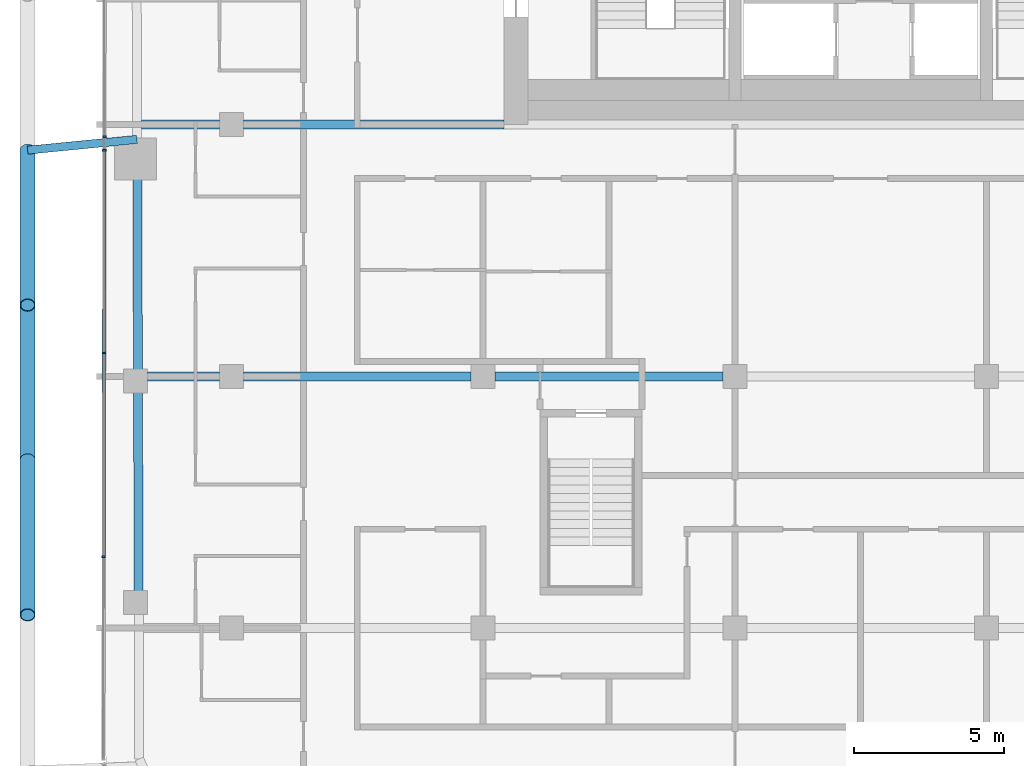
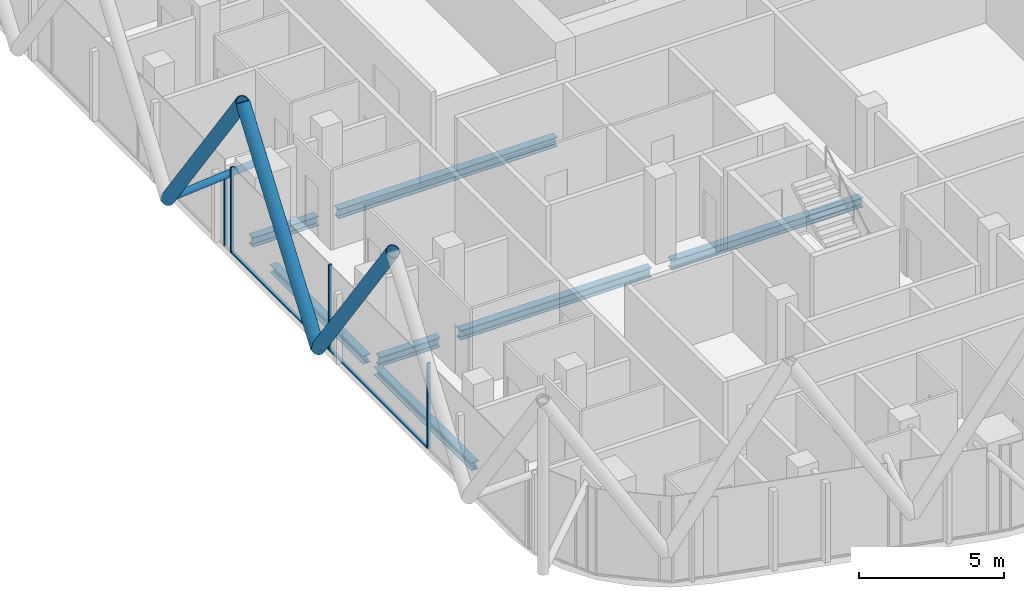
# One storey, part 4 of 31: 10 members, 7 beams, 2 elements without a shape of their own.
"""IFC4 building model written with IfcOpenShell, lengths in metres."""

import ifcopenshell
import ifcopenshell.guid

model = None  # the IFC model being written
_history = None  # IfcOwnerHistory: only IFC2X3 demands one
_inside = {}  # id of a spatial element -> (the spatial element, [elements in it])
_under = {}  # id of a project, library or spatial element -> (it, [spatial elements below it])
_declared = {}  # id of a project -> (the project, [libraries it declares])
_typed = {}  # id of a type object -> (the type object, [elements of that type])
_made_of = {}  # id of a material, layer set ... -> (it, [elements and type objects made of it])


def new_model(schema):
    """Start an empty IFC model of exactly this schema.

    Asked for "IFC4X3", IfcOpenShell would pick the latest addendum, in which some entities
    have other attributes; the version numbers below select the first issue.
    IFC2X3 requires an IfcOwnerHistory on every rooted entity: one is made here for all.
    """
    global model, _history
    if schema == "IFC4X3":
        model = ifcopenshell.file(schema_version=(4, 3, 0, 0))
    else:
        model = ifcopenshell.file(schema=schema)
    _inside.clear()
    _under.clear()
    _declared.clear()
    _typed.clear()
    _made_of.clear()
    _history = None
    if model.schema == "IFC2X3":
        org = make("IfcOrganization", Name="unknown")
        user = make(
            "IfcPersonAndOrganization",
            ThePerson=make("IfcPerson", FamilyName="unknown"),
            TheOrganization=org,
        )
        app = make(
            "IfcApplication",
            ApplicationDeveloper=org,
            Version="unknown",
            ApplicationFullName="unknown",
            ApplicationIdentifier="unknown",
        )
        _history = make(
            "IfcOwnerHistory",
            OwningUser=user,
            OwningApplication=app,
            ChangeAction="ADDED",
            CreationDate=0,
        )
    return model


def make(cls, **values):
    """One entity of the class cls with the attributes given. An attribute that is None is left unset."""
    return model.create_entity(
        cls, **{name: value for name, value in values.items() if value is not None}
    )


def rooted(cls, **values):
    """An entity with a GlobalId (a new one), such as an element, a storey or a relation."""
    return make(cls, GlobalId=ifcopenshell.guid.new(), OwnerHistory=_history, **values)


def si_unit(unit_type, name, prefix=None):
    """IfcSIUnit, for example si_unit("LENGTHUNIT", "METRE", prefix="MILLI")."""
    return make("IfcSIUnit", UnitType=unit_type, Prefix=prefix, Name=name)


def assignment(units):
    """IfcUnitAssignment: the units of a project."""
    return None if units is None else make("IfcUnitAssignment", Units=units)


def point(xyz):
    """IfcCartesianPoint."""
    return None if xyz is None else make("IfcCartesianPoint", Coordinates=xyz)


def direction(xyz):
    """IfcDirection."""
    return None if xyz is None else make("IfcDirection", DirectionRatios=xyz)


def frame(location, z_axis=None, x_axis=None):
    """IfcAxis2Placement3D, a coordinate frame: its origin and axes. An axis left out is left unset."""
    return make(
        "IfcAxis2Placement3D",
        Location=point(location),
        Axis=direction(z_axis),
        RefDirection=direction(x_axis),
    )


def frame_2d(location, x_axis=None):
    """IfcAxis2Placement2D, a coordinate frame in the plane: its origin and x axis."""
    return make(
        "IfcAxis2Placement2D", Location=point(location), RefDirection=direction(x_axis)
    )


def origin():
    """The frame at (0, 0, 0) with its axes left unset."""
    return frame((0.0, 0.0, 0.0))


def origin_2d():
    """The frame at (0, 0) in the plane with its x axis left unset."""
    return frame_2d((0.0, 0.0))


def place(relative_to, where):
    """IfcLocalPlacement: puts the frame where relative to a parent placement (None: the world)."""
    return make(
        "IfcLocalPlacement", PlacementRelTo=relative_to, RelativePlacement=where
    )


def context(
    kind, dimensions, precision=None, world=None, true_north=None, identifier=None
):
    """IfcGeometricRepresentationContext, for example the 3D "Model" context."""
    return make(
        "IfcGeometricRepresentationContext",
        ContextIdentifier=identifier,
        ContextType=kind,
        CoordinateSpaceDimension=dimensions,
        Precision=precision,
        WorldCoordinateSystem=world,
        TrueNorth=true_north,
    )


def subcontext(parent, identifier, kind, view, scale=None):
    """IfcGeometricRepresentationSubContext, for example "Body" below "Model"."""
    return make(
        "IfcGeometricRepresentationSubContext",
        ContextIdentifier=identifier,
        ContextType=kind,
        ParentContext=parent,
        TargetScale=scale,
        TargetView=view,
    )


def project(units=None, contexts=None):
    """IfcProject with its units and contexts."""
    return rooted(
        "IfcProject",
        Name="project",
        RepresentationContexts=contexts,
        UnitsInContext=assignment(units),
    )


def spatial(cls, under=None, at=None, **own):
    """A site, building, storey or space (cls), placed at a placement, below another one or the project."""
    s = rooted(cls, ObjectPlacement=at, **own)
    if under is not None:
        _under.setdefault(under.id(), (under, []))[1].append(s)
    return s


def profile(cls, at=None, kind="AREA", **sizes):
    """A parametric profile (cls). Its sizes go by their IFC names, for example OverallWidth=200.0."""
    return make(cls, ProfileType=kind, Position=at, **sizes)


def rectangle(**sizes):
    """IfcRectangleProfileDef."""
    return profile("IfcRectangleProfileDef", **sizes)


def hollow_circle(**sizes):
    """IfcCircleHollowProfileDef."""
    return profile("IfcCircleHollowProfileDef", **sizes)


def i_section(**sizes):
    """IfcIShapeProfileDef."""
    return profile("IfcIShapeProfileDef", **sizes)


def extrude(swept, where, along, depth):
    """IfcExtrudedAreaSolid: the profile swept, set in the frame where, extruded along a direction by depth."""
    return make(
        "IfcExtrudedAreaSolid",
        SweptArea=swept,
        Position=where,
        ExtrudedDirection=direction(along),
        Depth=depth,
    )


def shape(context_of_items, identifier, shape_type, items):
    """IfcShapeRepresentation: the items that make up one representation, for example the "Body"."""
    return make(
        "IfcShapeRepresentation",
        ContextOfItems=context_of_items,
        RepresentationIdentifier=identifier,
        RepresentationType=shape_type,
        Items=items,
    )


def material(Name=None, Category=None):
    """IfcMaterial."""
    return make("IfcMaterial", Name=Name, Category=Category)


def layer(
    of_material, thickness, ventilated=None, Name=None, Category=None, Priority=None
):
    """IfcMaterialLayer: one layer of a wall or slab, of a material (None: an air gap)."""
    return make(
        "IfcMaterialLayer",
        Material=of_material,
        LayerThickness=thickness,
        IsVentilated=ventilated,
        Name=Name,
        Category=Category,
        Priority=Priority,
    )


def layer_set(layers, Name=None):
    """IfcMaterialLayerSet."""
    return make("IfcMaterialLayerSet", MaterialLayers=layers, LayerSetName=Name)


def material_profile(
    of_material, cross_section, Name=None, Category=None, Priority=None
):
    """IfcMaterialProfile: a cross section and its material."""
    return make(
        "IfcMaterialProfile",
        Name=Name,
        Material=of_material,
        Profile=cross_section,
        Priority=Priority,
        Category=Category,
    )


def profile_set(profiles, Name=None, composite=None):
    """IfcMaterialProfileSet."""
    return make(
        "IfcMaterialProfileSet",
        Name=Name,
        MaterialProfiles=profiles,
        CompositeProfile=composite,
    )


def made_of(thing, what):
    """Note that an element or type object is made of a material, layer set ...; save() writes the relation."""
    if what is not None:
        _made_of.setdefault(what.id(), (what, []))[1].append(thing)
    return thing


def type_object(cls, material=None, **own):
    """A type object (cls), such as IfcWallType, which elements share."""
    return made_of(rooted(cls, **own), material)


def element(
    cls,
    number,
    at=None,
    inside=None,
    cuts=None,
    type_object=None,
    material=None,
    context=None,
    identifier="Body",
    shape_type=None,
    held_by="IfcProductDefinitionShape",
    body=None,
    shapes=None,
    **own,
):
    """One element of the class cls, such as IfcWall. Its Tag is "e" and its number.

    at: its placement. inside: the storey or other place that contains it. cuts: it is an
    opening in that element (IfcRelVoidsElement). A single representation is given by context,
    identifier, shape_type and body (its items); several are given by shapes. held_by: the class
    of the entity that holds the representations. save() writes the other relations.
    """
    e = rooted(cls, Tag="e%d" % number, ObjectPlacement=at, **own)
    if body is not None:
        shapes = [shape(context, identifier, shape_type, body)]
    if shapes is not None:
        e.Representation = make(held_by, Representations=shapes)
    if inside is not None:
        _inside.setdefault(inside.id(), (inside, []))[1].append(e)
    if cuts is not None:
        rooted(
            "IfcRelVoidsElement", RelatingBuildingElement=cuts, RelatedOpeningElement=e
        )
    if type_object is not None:
        _typed.setdefault(type_object.id(), (type_object, []))[1].append(e)
    return made_of(e, material)


def aggregate(whole, parts):
    """IfcRelAggregates: a whole, such as a stair, and the parts it consists of."""
    return rooted("IfcRelAggregates", RelatingObject=whole, RelatedObjects=parts)


def save(model, path):
    """Write the relations noted so far, then the file.

    IfcRelAggregates (storeys below a building ...), IfcRelContainedInSpatialStructure (elements
    in a storey), IfcRelDefinesByType, IfcRelAssociatesMaterial and IfcRelDeclares: one each for
    every whole, place, type object, material and project.
    """
    for whole, parts in _under.values():
        aggregate(whole, parts)
    for where, things in _inside.values():
        rooted(
            "IfcRelContainedInSpatialStructure",
            RelatedElements=things,
            RelatingStructure=where,
        )
    for kind, things in _typed.values():
        rooted("IfcRelDefinesByType", RelatedObjects=things, RelatingType=kind)
    for what, things in _made_of.values():
        rooted("IfcRelAssociatesMaterial", RelatedObjects=things, RelatingMaterial=what)
    for by, libraries in _declared.values():
        rooted("IfcRelDeclares", RelatingContext=by, RelatedDefinitions=libraries)
    model.write(path)


model = new_model("IFC4")

# Units and contexts
model_context = context("Model", 3, precision=1e-05, world=origin(), true_north=direction((0.0, 1.0)))
body_context = subcontext(model_context, "Body", "Model", "MODEL_VIEW")
ifc_project = project(units=[si_unit("LENGTHUNIT", "METRE"), si_unit("AREAUNIT", "SQUARE_METRE"), si_unit("VOLUMEUNIT", "CUBIC_METRE"), si_unit("PLANEANGLEUNIT", "RADIAN"), si_unit("MASSUNIT", "GRAM", prefix="KILO")], contexts=[model_context])

# Site, building, storey
site_placement = place(None, origin())
site = spatial("IfcSite", under=ifc_project, at=site_placement, CompositionType="ELEMENT")
building_placement = place(site_placement, origin())
building = spatial("IfcBuilding", under=site, at=building_placement, Name="Marenta Gate Hotel Tower", CompositionType="ELEMENT")
storey_placement = place(building_placement, frame((0.0, 0.0, 234.5)))
storey = spatial("IfcBuildingStorey", under=building, at=storey_placement, Name="L55", CompositionType="ELEMENT", Elevation=234.5)

# Members
ifc_material_1 = material(Name="Steel S355J2W", Category="steel")
ifc_material_profile_1 = material_profile(ifc_material_1, hollow_circle(Radius=0.25390625, WallThickness=0.02490234375, at=origin_2d()), Name="CHS 508x25")
ifc_profile_set_1 = profile_set([ifc_material_profile_1], Name="Steel S355J2W")
member_type_1 = type_object("IfcMemberType", Name="Diagrid diagonal Z3 CHS 508x25", PredefinedType="BRACE", material=ifc_profile_set_1)
member_1_placement = place(storey_placement, frame((-27.800048828125, -11.190185546875, 3.139892578125), z_axis=(0.0, -0.583247791947, 0.812294289767), x_axis=(1.0, 0.0, 0.0)))
element("IfcMember", 1, at=member_1_placement, inside=storey, type_object=member_type_1, Name="L55-DG-27", PredefinedType="BRACE", context=body_context, shape_type="SweptSolid", body=[
    extrude(hollow_circle(Radius=0.25390625, WallThickness=0.02490234375, at=origin_2d()), origin(), (0.0, 0.0, 1.0), 8.864013671875),
])
member_2_placement = place(storey_placement, frame((-27.800048828125, -11.190185546875, 3.139892578125), z_axis=(0.0, 0.583265964901, 0.81228124082), x_axis=(-1.0, 0.0, 0.0)))
element("IfcMember", 2, at=member_2_placement, inside=storey, type_object=member_type_1, Name="L55-DG-28", PredefinedType="BRACE", context=body_context, shape_type="SweptSolid", body=[
    extrude(hollow_circle(Radius=0.25390625, WallThickness=0.02490234375, at=origin_2d()), origin(), (0.0, 0.0, 1.0), 8.8642578125),
])
member_3_placement = place(storey_placement, frame((-27.800048828125, -0.85009765625, 3.139892578125), z_axis=(0.0, -0.583247791947, 0.812294289767), x_axis=(1.0, 0.0, 0.0)))
element("IfcMember", 3, at=member_3_placement, inside=storey, type_object=member_type_1, Name="L55-DG-29", PredefinedType="BRACE", context=body_context, shape_type="SweptSolid", body=[
    extrude(hollow_circle(Radius=0.25390625, WallThickness=0.02490234375, at=origin_2d()), origin(), (0.0, 0.0, 1.0), 8.864013671875),
])

# Beams
ifc_material_2 = material(Name="Steel S355", Category="steel")
ifc_material_profile_2 = material_profile(ifc_material_2, i_section(OverallWidth=0.300048828125, OverallDepth=0.340087890625, WebThickness=0.011962890625, FlangeThickness=0.021484375, FilletRadius=0.027099609375, at=origin_2d()), Name="HEB 340")
ifc_profile_set_2 = profile_set([ifc_material_profile_2], Name="Steel S355")
beam_type_1 = type_object("IfcBeamType", Name="Edge beam HEB 340", PredefinedType="SPANDREL", material=ifc_profile_set_2)
beam_1_placement = place(storey_placement, frame((-24.09375, -15.591796875, -0.429931640625), z_axis=(-0.00332539729, 0.999994470851, 0.0), x_axis=(-0.999994470851, -0.00332539729, 0.0)))
element("IfcBeam", 4, at=beam_1_placement, inside=storey, type_object=beam_type_1, Name="L55-EB-6", PredefinedType="SPANDREL", context=body_context, shape_type="SweptSolid", body=[
    extrude(i_section(OverallWidth=0.300048828125, OverallDepth=0.340087890625, WebThickness=0.011962890625, FlangeThickness=0.021484375, FilletRadius=0.027099609375, at=origin_2d()), origin(), (0.0, 0.0, 1.0), 6.680908203125),
])
beam_2_placement = place(storey_placement, frame((-24.118408203125, -8.19091796875, -0.429931640625), z_axis=(-0.003328723523, 0.999994459785, 0.0), x_axis=(-0.999994459785, -0.003328723523, 0.0)))
element("IfcBeam", 5, at=beam_2_placement, inside=storey, type_object=beam_type_1, Name="L55-EB-7", PredefinedType="SPANDREL", context=body_context, shape_type="SweptSolid", body=[
    extrude(i_section(OverallWidth=0.300048828125, OverallDepth=0.340087890625, WebThickness=0.011962890625, FlangeThickness=0.021484375, FilletRadius=0.027099609375, at=origin_2d()), origin(), (0.0, 0.0, 1.0), 6.380859375),
])

# Member
ifc_material_3 = material(Name="Steel S355J2W", Category="steel")
ifc_material_profile_3 = material_profile(ifc_material_3, hollow_circle(Radius=0.136474609375, WallThickness=0.012451171875, at=origin_2d()), Name="CHS 273x12.5")
ifc_profile_set_3 = profile_set([ifc_material_profile_3], Name="Steel S355J2W")
member_type_2 = type_object("IfcMemberType", Name="Floor tie CHS 273x12.5", PredefinedType="STRUT", material=ifc_profile_set_3)
member_4_placement = place(storey_placement, frame((-27.800048828125, -0.85009765625, 3.139892578125), z_axis=(0.995181771772, 0.098047137303, 0.0), x_axis=(-0.098047137303, 0.995181771772, 0.0)))
element("IfcMember", 6, at=member_4_placement, inside=storey, type_object=member_type_2, Name="L55-DR-20", PredefinedType="STRUT", context=body_context, shape_type="SweptSolid", body=[
    extrude(hollow_circle(Radius=0.136474609375, WallThickness=0.012451171875, at=origin_2d()), origin(), (0.0, 0.0, 1.0), 3.667724609375),
])

# Beams
ifc_material_4 = material(Name="Steel S355", Category="steel")
ifc_material_profile_4 = material_profile(ifc_material_4, i_section(OverallWidth=0.300048828125, OverallDepth=0.39990234375, WebThickness=0.013427734375, FlangeThickness=0.02392578125, FilletRadius=0.027099609375, at=origin_2d()), Name="HEB 400")
ifc_profile_set_4 = profile_set([ifc_material_profile_4], Name="Steel S355")
beam_type_2 = type_object("IfcBeamType", Name="Girder HEB 400", PredefinedType="BEAM", material=ifc_profile_set_4)
beam_3_placement = place(storey_placement, frame((-23.800048828125, -8.39990234375, -0.4599609375), z_axis=(1.0, 0.0, 0.0), x_axis=(0.0, 1.0, 0.0)))
element("IfcBeam", 7, at=beam_3_placement, inside=storey, type_object=beam_type_2, Name="L55-GD-13", PredefinedType="BEAM", context=body_context, shape_type="SweptSolid", body=[
    extrude(i_section(OverallWidth=0.300048828125, OverallDepth=0.39990234375, WebThickness=0.013427734375, FlangeThickness=0.02392578125, FilletRadius=0.027099609375, at=origin_2d()), origin(), (0.0, 0.0, 1.0), 2.400146484375),
])
beam_4_placement = place(storey_placement, frame((-20.60009765625, -8.39990234375, -0.4599609375), z_axis=(1.0, 0.0, 0.0), x_axis=(0.0, 1.0, 0.0)))
element("IfcBeam", 8, at=beam_4_placement, inside=storey, type_object=beam_type_2, Name="L55-GD-14", PredefinedType="BEAM", context=body_context, shape_type="SweptSolid", body=[
    extrude(i_section(OverallWidth=0.300048828125, OverallDepth=0.39990234375, WebThickness=0.013427734375, FlangeThickness=0.02392578125, FilletRadius=0.027099609375, at=origin_2d()), origin(), (0.0, 0.0, 1.0), 7.60009765625),
])
beam_5_placement = place(storey_placement, frame((-12.199951171875, -8.39990234375, -0.4599609375), z_axis=(1.0, 0.0, 0.0), x_axis=(0.0, 1.0, 0.0)))
element("IfcBeam", 9, at=beam_5_placement, inside=storey, type_object=beam_type_2, Name="L55-GD-15", PredefinedType="BEAM", context=body_context, shape_type="SweptSolid", body=[
    extrude(i_section(OverallWidth=0.300048828125, OverallDepth=0.39990234375, WebThickness=0.013427734375, FlangeThickness=0.02392578125, FilletRadius=0.027099609375, at=origin_2d()), origin(), (0.0, 0.0, 1.0), 7.599853515625),
])
beam_6_placement = place(storey_placement, frame((-23.99560546875, 0.0, -0.4599609375), z_axis=(1.0, 0.0, 0.0), x_axis=(0.0, 1.0, 0.0)))
element("IfcBeam", 10, at=beam_6_placement, inside=storey, type_object=beam_type_2, Name="L55-GD-20", PredefinedType="BEAM", context=body_context, shape_type="SweptSolid", body=[
    extrude(i_section(OverallWidth=0.300048828125, OverallDepth=0.39990234375, WebThickness=0.013427734375, FlangeThickness=0.02392578125, FilletRadius=0.027099609375, at=origin_2d()), origin(), (0.0, 0.0, 1.0), 2.595703125),
])
beam_7_placement = place(storey_placement, frame((-20.60009765625, 0.0, -0.4599609375), z_axis=(1.0, 0.0, 0.0), x_axis=(0.0, 1.0, 0.0)))
element("IfcBeam", 11, at=beam_7_placement, inside=storey, type_object=beam_type_2, Name="L55-GD-21", PredefinedType="BEAM", context=body_context, shape_type="SweptSolid", body=[
    extrude(i_section(OverallWidth=0.300048828125, OverallDepth=0.39990234375, WebThickness=0.013427734375, FlangeThickness=0.02392578125, FilletRadius=0.027099609375, at=origin_2d()), origin(), (0.0, 0.0, 1.0), 8.7001953125),
])

# Curtain wall, member
ifc_material_5 = material(Name="Tinted insulated glass in bronze anodised frame", Category="glass")
ifc_layer = layer(ifc_material_5, 0.1201171875)
ifc_layer_set = layer_set([ifc_layer], Name="Tinted insulated glass in bronze anodised frame")
curtain_wall_type = type_object("IfcCurtainWallType", Name="Tower unitised curtain wall CW1", PredefinedType="NOTDEFINED", material=ifc_layer_set)
curtain_wall_1_placement = place(storey_placement, origin())
curtain_wall_1 = element("IfcCurtainWall", 12, at=curtain_wall_1_placement, inside=storey, type_object=curtain_wall_type, Name="CW1 run G07", PredefinedType="NOTDEFINED")
ifc_material_6 = material(Name="Bronze anodised aluminium", Category="aluminium")
ifc_material_profile_5 = material_profile(ifc_material_6, rectangle(XDim=0.1201171875, YDim=0.06005859375, at=origin_2d()), Name="Mullion CW1 60x120 bronze anodised aluminium")
ifc_profile_set_5 = profile_set([ifc_material_profile_5], Name="Bronze anodised aluminium")
member_type_3 = type_object("IfcMemberType", Name="Mullion CW1 60x120 bronze anodised aluminium", PredefinedType="MULLION", material=ifc_profile_set_5)
member_5_placement = place(storey_placement, frame((-25.240234375, -0.400390625, 0.0), z_axis=(0.0, 0.0, 1.0), x_axis=(0.99999881761, -0.001537783778, 0.0)))
member_5 = element("IfcMember", 13, at=member_5_placement, type_object=member_type_3, Name="CW1 mullion 1", PredefinedType="MULLION", context=body_context, shape_type="SweptSolid", body=[
    extrude(rectangle(XDim=0.1201171875, YDim=0.06005859375, at=origin_2d()), origin(), (0.0, 0.0, 1.0), 3.00048828125),
])
aggregate(curtain_wall_1, [member_5])

# Curtain wall, members
curtain_wall_2_placement = place(storey_placement, origin())
curtain_wall_2 = element("IfcCurtainWall", 14, at=curtain_wall_2_placement, inside=storey, type_object=curtain_wall_type, Name="CW1 run G08", PredefinedType="NOTDEFINED")
member_6_placement = place(storey_placement, frame((-25.240966796875, -0.855712890625, 0.0), z_axis=(0.0, 0.0, 1.0), x_axis=(0.999998775932, -0.001564651623, 0.0)))
member_6 = element("IfcMember", 15, at=member_6_placement, type_object=member_type_3, Name="CW1 mullion 1", PredefinedType="MULLION", context=body_context, shape_type="SweptSolid", body=[
    extrude(rectangle(XDim=0.1201171875, YDim=0.06005859375, at=origin_2d()), origin(), (0.0, 0.0, 1.0), 3.60009765625),
])
member_7_placement = place(storey_placement, frame((-25.251708984375, -7.62158203125, 0.0), z_axis=(0.0, 0.0, 1.0), x_axis=(0.999998775932, -0.001564651623, 0.0)))
member_7 = element("IfcMember", 16, at=member_7_placement, type_object=member_type_3, Name="CW1 mullion 2", PredefinedType="MULLION", context=body_context, shape_type="SweptSolid", body=[
    extrude(rectangle(XDim=0.1201171875, YDim=0.06005859375, at=origin_2d()), origin(), (0.0, 0.0, 1.0), 3.60009765625),
])
member_8_placement = place(storey_placement, frame((-25.26220703125, -14.41748046875, 0.0), z_axis=(0.0, 0.0, 1.0), x_axis=(0.999998775932, -0.001564651623, 0.0)))
member_8 = element("IfcMember", 17, at=member_8_placement, type_object=member_type_3, Name="CW1 mullion 3", PredefinedType="MULLION", context=body_context, shape_type="SweptSolid", body=[
    extrude(rectangle(XDim=0.1201171875, YDim=0.06005859375, at=origin_2d()), origin(), (0.0, 0.0, 1.0), 3.60009765625),
])
ifc_material_7 = material(Name="Bronze anodised aluminium", Category="aluminium")
ifc_material_profile_6 = material_profile(ifc_material_7, rectangle(XDim=0.1201171875, YDim=0.06005859375, at=origin_2d()), Name="Transom CW1 60x120 bronze anodised aluminium")
ifc_profile_set_6 = profile_set([ifc_material_profile_6], Name="Bronze anodised aluminium")
member_type_4 = type_object("IfcMemberType", Name="Transom CW1 60x120 bronze anodised aluminium", PredefinedType="USERDEFINED", material=ifc_profile_set_6)
member_9_placement = place(storey_placement, frame((-25.2412109375, -0.885498046875, 0.030029296875), z_axis=(-0.0015290502, -0.999998831002, 0.0), x_axis=(0.999998831002, -0.0015290502, 0.0)))
member_9 = element("IfcMember", 18, at=member_9_placement, type_object=member_type_4, Name="CW1 transom 1.1", ObjectType="TRANSOM", PredefinedType="USERDEFINED", context=body_context, shape_type="SweptSolid", body=[
    extrude(rectangle(XDim=0.1201171875, YDim=0.06005859375, at=origin_2d()), origin(), (0.0, 0.0, 1.0), 6.7060546875),
])
member_10_placement = place(storey_placement, frame((-25.251708984375, -7.651611328125, 0.030029296875), z_axis=(-0.001558533808, -0.999998785485, 0.0), x_axis=(0.999998785485, -0.001558533808, 0.0)))
member_10 = element("IfcMember", 19, at=member_10_placement, type_object=member_type_4, Name="CW1 transom 2.1", ObjectType="TRANSOM", PredefinedType="USERDEFINED", context=body_context, shape_type="SweptSolid", body=[
    extrude(rectangle(XDim=0.1201171875, YDim=0.06005859375, at=origin_2d()), origin(), (0.0, 0.0, 1.0), 6.73583984375),
])
aggregate(curtain_wall_2, [member_6, member_7, member_8, member_9, member_10])

save(model, "model.ifc")
